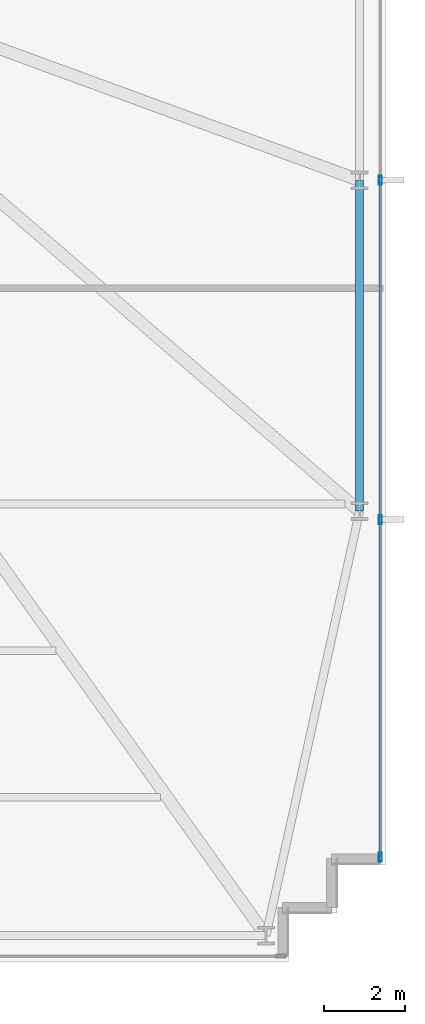
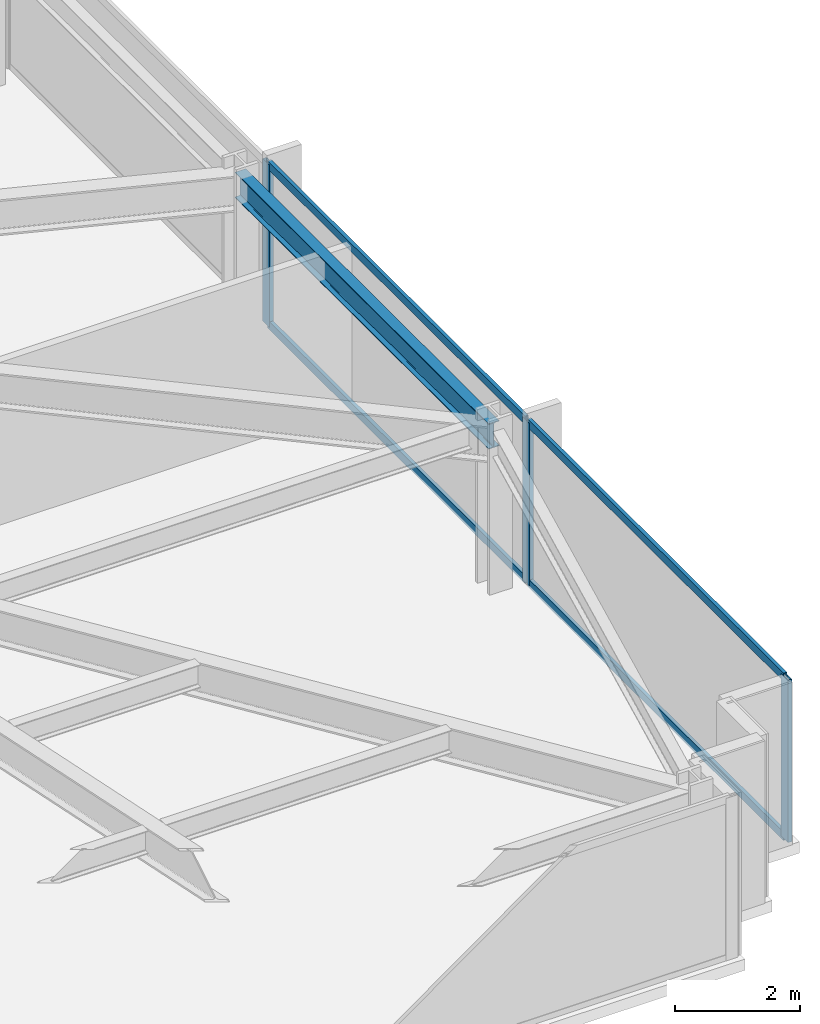
# One storey, part 22 of 33: 7 members, 1 beam, 1 element without a shape of its own.
"""IFC4 building model written with IfcOpenShell, lengths in metres."""

import ifcopenshell
import ifcopenshell.guid

model = None  # the IFC model being written
_history = None  # IfcOwnerHistory: only IFC2X3 demands one
_inside = {}  # id of a spatial element -> (the spatial element, [elements in it])
_under = {}  # id of a project, library or spatial element -> (it, [spatial elements below it])
_declared = {}  # id of a project -> (the project, [libraries it declares])
_typed = {}  # id of a type object -> (the type object, [elements of that type])
_made_of = {}  # id of a material, layer set ... -> (it, [elements and type objects made of it])


def new_model(schema):
    """Start an empty IFC model of exactly this schema.

    Asked for "IFC4X3", IfcOpenShell would pick the latest addendum, in which some entities
    have other attributes; the version numbers below select the first issue.
    IFC2X3 requires an IfcOwnerHistory on every rooted entity: one is made here for all.
    """
    global model, _history
    if schema == "IFC4X3":
        model = ifcopenshell.file(schema_version=(4, 3, 0, 0))
    else:
        model = ifcopenshell.file(schema=schema)
    _inside.clear()
    _under.clear()
    _declared.clear()
    _typed.clear()
    _made_of.clear()
    _history = None
    if model.schema == "IFC2X3":
        org = make("IfcOrganization", Name="unknown")
        user = make(
            "IfcPersonAndOrganization",
            ThePerson=make("IfcPerson", FamilyName="unknown"),
            TheOrganization=org,
        )
        app = make(
            "IfcApplication",
            ApplicationDeveloper=org,
            Version="unknown",
            ApplicationFullName="unknown",
            ApplicationIdentifier="unknown",
        )
        _history = make(
            "IfcOwnerHistory",
            OwningUser=user,
            OwningApplication=app,
            ChangeAction="ADDED",
            CreationDate=0,
        )
    return model


def make(cls, **values):
    """One entity of the class cls with the attributes given. An attribute that is None is left unset."""
    return model.create_entity(
        cls, **{name: value for name, value in values.items() if value is not None}
    )


def rooted(cls, **values):
    """An entity with a GlobalId (a new one), such as an element, a storey or a relation."""
    return make(cls, GlobalId=ifcopenshell.guid.new(), OwnerHistory=_history, **values)


def si_unit(unit_type, name, prefix=None):
    """IfcSIUnit, for example si_unit("LENGTHUNIT", "METRE", prefix="MILLI")."""
    return make("IfcSIUnit", UnitType=unit_type, Prefix=prefix, Name=name)


def assignment(units):
    """IfcUnitAssignment: the units of a project."""
    return None if units is None else make("IfcUnitAssignment", Units=units)


def point(xyz):
    """IfcCartesianPoint."""
    return None if xyz is None else make("IfcCartesianPoint", Coordinates=xyz)


def direction(xyz):
    """IfcDirection."""
    return None if xyz is None else make("IfcDirection", DirectionRatios=xyz)


def frame(location, z_axis=None, x_axis=None):
    """IfcAxis2Placement3D, a coordinate frame: its origin and axes. An axis left out is left unset."""
    return make(
        "IfcAxis2Placement3D",
        Location=point(location),
        Axis=direction(z_axis),
        RefDirection=direction(x_axis),
    )


def frame_2d(location, x_axis=None):
    """IfcAxis2Placement2D, a coordinate frame in the plane: its origin and x axis."""
    return make(
        "IfcAxis2Placement2D", Location=point(location), RefDirection=direction(x_axis)
    )


def origin():
    """The frame at (0, 0, 0) with its axes left unset."""
    return frame((0.0, 0.0, 0.0))


def origin_2d():
    """The frame at (0, 0) in the plane with its x axis left unset."""
    return frame_2d((0.0, 0.0))


def place(relative_to, where):
    """IfcLocalPlacement: puts the frame where relative to a parent placement (None: the world)."""
    return make(
        "IfcLocalPlacement", PlacementRelTo=relative_to, RelativePlacement=where
    )


def context(
    kind, dimensions, precision=None, world=None, true_north=None, identifier=None
):
    """IfcGeometricRepresentationContext, for example the 3D "Model" context."""
    return make(
        "IfcGeometricRepresentationContext",
        ContextIdentifier=identifier,
        ContextType=kind,
        CoordinateSpaceDimension=dimensions,
        Precision=precision,
        WorldCoordinateSystem=world,
        TrueNorth=true_north,
    )


def subcontext(parent, identifier, kind, view, scale=None):
    """IfcGeometricRepresentationSubContext, for example "Body" below "Model"."""
    return make(
        "IfcGeometricRepresentationSubContext",
        ContextIdentifier=identifier,
        ContextType=kind,
        ParentContext=parent,
        TargetScale=scale,
        TargetView=view,
    )


def project(units=None, contexts=None):
    """IfcProject with its units and contexts."""
    return rooted(
        "IfcProject",
        Name="project",
        RepresentationContexts=contexts,
        UnitsInContext=assignment(units),
    )


def spatial(cls, under=None, at=None, **own):
    """A site, building, storey or space (cls), placed at a placement, below another one or the project."""
    s = rooted(cls, ObjectPlacement=at, **own)
    if under is not None:
        _under.setdefault(under.id(), (under, []))[1].append(s)
    return s


def profile(cls, at=None, kind="AREA", **sizes):
    """A parametric profile (cls). Its sizes go by their IFC names, for example OverallWidth=200.0."""
    return make(cls, ProfileType=kind, Position=at, **sizes)


def hollow_rectangle(**sizes):
    """IfcRectangleHollowProfileDef."""
    return profile("IfcRectangleHollowProfileDef", **sizes)


def i_section(**sizes):
    """IfcIShapeProfileDef."""
    return profile("IfcIShapeProfileDef", **sizes)


def extrude(swept, where, along, depth):
    """IfcExtrudedAreaSolid: the profile swept, set in the frame where, extruded along a direction by depth."""
    return make(
        "IfcExtrudedAreaSolid",
        SweptArea=swept,
        Position=where,
        ExtrudedDirection=direction(along),
        Depth=depth,
    )


def shape(context_of_items, identifier, shape_type, items):
    """IfcShapeRepresentation: the items that make up one representation, for example the "Body"."""
    return make(
        "IfcShapeRepresentation",
        ContextOfItems=context_of_items,
        RepresentationIdentifier=identifier,
        RepresentationType=shape_type,
        Items=items,
    )


def material(Name=None, Category=None):
    """IfcMaterial."""
    return make("IfcMaterial", Name=Name, Category=Category)


def material_profile(
    of_material, cross_section, Name=None, Category=None, Priority=None
):
    """IfcMaterialProfile: a cross section and its material."""
    return make(
        "IfcMaterialProfile",
        Name=Name,
        Material=of_material,
        Profile=cross_section,
        Priority=Priority,
        Category=Category,
    )


def profile_set(profiles, Name=None, composite=None):
    """IfcMaterialProfileSet."""
    return make(
        "IfcMaterialProfileSet",
        Name=Name,
        MaterialProfiles=profiles,
        CompositeProfile=composite,
    )


def made_of(thing, what):
    """Note that an element or type object is made of a material, layer set ...; save() writes the relation."""
    if what is not None:
        _made_of.setdefault(what.id(), (what, []))[1].append(thing)
    return thing


def type_object(cls, material=None, **own):
    """A type object (cls), such as IfcWallType, which elements share."""
    return made_of(rooted(cls, **own), material)


def element(
    cls,
    number,
    at=None,
    inside=None,
    cuts=None,
    type_object=None,
    material=None,
    context=None,
    identifier="Body",
    shape_type=None,
    held_by="IfcProductDefinitionShape",
    body=None,
    shapes=None,
    **own,
):
    """One element of the class cls, such as IfcWall. Its Tag is "e" and its number.

    at: its placement. inside: the storey or other place that contains it. cuts: it is an
    opening in that element (IfcRelVoidsElement). A single representation is given by context,
    identifier, shape_type and body (its items); several are given by shapes. held_by: the class
    of the entity that holds the representations. save() writes the other relations.
    """
    e = rooted(cls, Tag="e%d" % number, ObjectPlacement=at, **own)
    if body is not None:
        shapes = [shape(context, identifier, shape_type, body)]
    if shapes is not None:
        e.Representation = make(held_by, Representations=shapes)
    if inside is not None:
        _inside.setdefault(inside.id(), (inside, []))[1].append(e)
    if cuts is not None:
        rooted(
            "IfcRelVoidsElement", RelatingBuildingElement=cuts, RelatedOpeningElement=e
        )
    if type_object is not None:
        _typed.setdefault(type_object.id(), (type_object, []))[1].append(e)
    return made_of(e, material)


def aggregate(whole, parts):
    """IfcRelAggregates: a whole, such as a stair, and the parts it consists of."""
    return rooted("IfcRelAggregates", RelatingObject=whole, RelatedObjects=parts)


def save(model, path):
    """Write the relations noted so far, then the file.

    IfcRelAggregates (storeys below a building ...), IfcRelContainedInSpatialStructure (elements
    in a storey), IfcRelDefinesByType, IfcRelAssociatesMaterial and IfcRelDeclares: one each for
    every whole, place, type object, material and project.
    """
    for whole, parts in _under.values():
        aggregate(whole, parts)
    for where, things in _inside.values():
        rooted(
            "IfcRelContainedInSpatialStructure",
            RelatedElements=things,
            RelatingStructure=where,
        )
    for kind, things in _typed.values():
        rooted("IfcRelDefinesByType", RelatedObjects=things, RelatingType=kind)
    for what, things in _made_of.values():
        rooted("IfcRelAssociatesMaterial", RelatedObjects=things, RelatingMaterial=what)
    for by, libraries in _declared.values():
        rooted("IfcRelDeclares", RelatingContext=by, RelatedDefinitions=libraries)
    model.write(path)


model = new_model("IFC4")

# Units and contexts
model_context = context("Model", 3, precision=1e-05, world=origin(), true_north=direction((0.0, 1.0)))
body_context = subcontext(model_context, "Body", "Model", "MODEL_VIEW")
ifc_project = project(units=[si_unit("LENGTHUNIT", "METRE"), si_unit("AREAUNIT", "SQUARE_METRE"), si_unit("VOLUMEUNIT", "CUBIC_METRE"), si_unit("PLANEANGLEUNIT", "RADIAN"), si_unit("MASSUNIT", "GRAM", prefix="KILO")], contexts=[model_context])

# Site, building, storey
site_placement = place(None, origin())
site = spatial("IfcSite", under=ifc_project, at=site_placement, CompositionType="ELEMENT")
building_placement = place(site_placement, origin())
building = spatial("IfcBuilding", under=site, at=building_placement, Name="Yelkora Congress Tower", CompositionType="ELEMENT")
storey_placement = place(building_placement, frame((0.0, 0.0, 54.199951171875)))
storey = spatial("IfcBuildingStorey", under=building, at=storey_placement, Name="L13", CompositionType="ELEMENT", Elevation=54.199951171875)

# Beam
ifc_material_1 = material(Name="Steel S355J2", Category="steel")
ifc_material_profile_1 = material_profile(ifc_material_1, i_section(OverallWidth=0.199951171875, OverallDepth=0.5, WebThickness=0.01025390625, FlangeThickness=0.01611328125, FilletRadius=0.02099609375, at=origin_2d()), Name="IPE 500")
ifc_profile_set_1 = profile_set([ifc_material_profile_1], Name="Steel S355J2")
beam_type = type_object("IfcBeamType", Name="BM-SPAN-IPE500", PredefinedType="SPANDREL", material=ifc_profile_set_1)
beam_placement = place(storey_placement, frame((70.14990234375, 21.27490234375, 2.929931640625), z_axis=(0.0, 1.0, 0.0), x_axis=(-1.0, 0.0, 0.0)))
element("IfcBeam", 1, at=beam_placement, inside=storey, type_object=beam_type, Name="L13 Perimeter Beam 11", PredefinedType="SPANDREL", context=body_context, shape_type="SweptSolid", body=[
    extrude(i_section(OverallWidth=0.199951171875, OverallDepth=0.5, WebThickness=0.01025390625, FlangeThickness=0.01611328125, FilletRadius=0.02099609375, at=origin_2d()), origin(), (0.0, 0.0, 1.0), 8.125),
])

# Curtain wall, members
ifc_material_2 = material(Name="Anodised aluminium and insulated glass", Category="aluminium")
curtain_wall_type = type_object("IfcCurtainWallType", Name="CW-SYS-B1", PredefinedType="NOTDEFINED", material=ifc_material_2)
curtain_wall_placement = place(storey_placement, origin())
curtain_wall = element("IfcCurtainWall", 2, at=curtain_wall_placement, inside=storey, type_object=curtain_wall_type, Name="L13 Unitised Curtain Wall 15", PredefinedType="NOTDEFINED")
ifc_material_3 = material(Name="Anodised aluminium 6063-T6", Category="aluminium")
ifc_material_profile_2 = material_profile(ifc_material_3, hollow_rectangle(XDim=0.074951171875, YDim=0.219970703125, WallThickness=0.0048828125, at=origin_2d()), Name="ALU 75x220x5")
ifc_profile_set_2 = profile_set([ifc_material_profile_2], Name="Anodised aluminium 6063-T6")
member_type_1 = type_object("IfcMemberType", Name="MEM-ML-B1", PredefinedType="MULLION", material=ifc_profile_set_2)
member_1_placement = place(storey_placement, frame((70.659912109375, 29.39990234375, 0.0), z_axis=(0.0, 0.0, 1.0), x_axis=(1.0, 0.0, 0.0)))
member_1 = element("IfcMember", 3, at=member_1_placement, type_object=member_type_1, Name="CW-B1 mullion 3", PredefinedType="MULLION", context=body_context, shape_type="SweptSolid", body=[
    extrude(hollow_rectangle(XDim=0.074951171875, YDim=0.219970703125, WallThickness=0.0048828125, at=origin_2d()), origin(), (0.0, 0.0, 1.0), 3.179931640625),
])
member_2_placement = place(storey_placement, frame((70.659912109375, 21.070068359375, 0.0), z_axis=(0.0, 0.0, 1.0), x_axis=(1.0, 0.0, 0.0)))
member_2 = element("IfcMember", 4, at=member_2_placement, type_object=member_type_1, Name="CW-B1 mullion 4", PredefinedType="MULLION", context=body_context, shape_type="SweptSolid", body=[
    extrude(hollow_rectangle(XDim=0.074951171875, YDim=0.219970703125, WallThickness=0.0048828125, at=origin_2d()), origin(), (0.0, 0.0, 1.0), 3.179931640625),
])
member_3_placement = place(storey_placement, frame((70.659912109375, 12.777587890625, 0.0), z_axis=(0.0, 0.0, 1.0), x_axis=(1.0, 0.0, 0.0)))
member_3 = element("IfcMember", 5, at=member_3_placement, type_object=member_type_1, Name="CW-B1 mullion 5", PredefinedType="MULLION", context=body_context, shape_type="SweptSolid", body=[
    extrude(hollow_rectangle(XDim=0.074951171875, YDim=0.219970703125, WallThickness=0.0048828125, at=origin_2d()), origin(), (0.0, 0.0, 1.0), 3.179931640625),
])
ifc_material_profile_3 = material_profile(ifc_material_3, hollow_rectangle(XDim=0.06494140625, YDim=0.159912109375, WallThickness=0.00390625, at=origin_2d()), Name="ALU 65x160x4")
ifc_profile_set_3 = profile_set([ifc_material_profile_3], Name="Anodised aluminium 6063-T6")
member_type_2 = type_object("IfcMemberType", Name="MEM-TR-B1", PredefinedType="USERDEFINED", material=ifc_profile_set_3)
member_4_placement = place(storey_placement, frame((70.659912109375, 29.362548828125, 0.032470703125), z_axis=(0.0, -1.0, 0.0), x_axis=(1.0, 0.0, 0.0)))
member_4 = element("IfcMember", 6, at=member_4_placement, type_object=member_type_2, Name="CW-B1 transom 3.1", ObjectType="TRANSOM", PredefinedType="USERDEFINED", context=body_context, shape_type="SweptSolid", body=[
    extrude(hollow_rectangle(XDim=0.06494140625, YDim=0.159912109375, WallThickness=0.00390625, at=origin_2d()), origin(), (0.0, 0.0, 1.0), 8.255126953125),
])
member_5_placement = place(storey_placement, frame((70.659912109375, 29.362548828125, 3.1474609375), z_axis=(0.0, -1.0, 0.0), x_axis=(1.0, 0.0, 0.0)))
member_5 = element("IfcMember", 7, at=member_5_placement, type_object=member_type_2, Name="CW-B1 transom 3.2", ObjectType="TRANSOM", PredefinedType="USERDEFINED", context=body_context, shape_type="SweptSolid", body=[
    extrude(hollow_rectangle(XDim=0.06494140625, YDim=0.159912109375, WallThickness=0.00390625, at=origin_2d()), origin(), (0.0, 0.0, 1.0), 8.255126953125),
])
member_6_placement = place(storey_placement, frame((70.659912109375, 21.032470703125, 0.032470703125), z_axis=(0.0, -1.0, 0.0), x_axis=(1.0, 0.0, 0.0)))
member_6 = element("IfcMember", 8, at=member_6_placement, type_object=member_type_2, Name="CW-B1 transom 4.1", ObjectType="TRANSOM", PredefinedType="USERDEFINED", context=body_context, shape_type="SweptSolid", body=[
    extrude(hollow_rectangle(XDim=0.06494140625, YDim=0.159912109375, WallThickness=0.00390625, at=origin_2d()), origin(), (0.0, 0.0, 1.0), 8.217529296875),
])
member_7_placement = place(storey_placement, frame((70.659912109375, 21.032470703125, 3.1474609375), z_axis=(0.0, -1.0, 0.0), x_axis=(1.0, 0.0, 0.0)))
member_7 = element("IfcMember", 9, at=member_7_placement, type_object=member_type_2, Name="CW-B1 transom 4.2", ObjectType="TRANSOM", PredefinedType="USERDEFINED", context=body_context, shape_type="SweptSolid", body=[
    extrude(hollow_rectangle(XDim=0.06494140625, YDim=0.159912109375, WallThickness=0.00390625, at=origin_2d()), origin(), (0.0, 0.0, 1.0), 8.217529296875),
])
aggregate(curtain_wall, [member_1, member_2, member_3, member_4, member_5, member_6, member_7])

save(model, "model.ifc")
